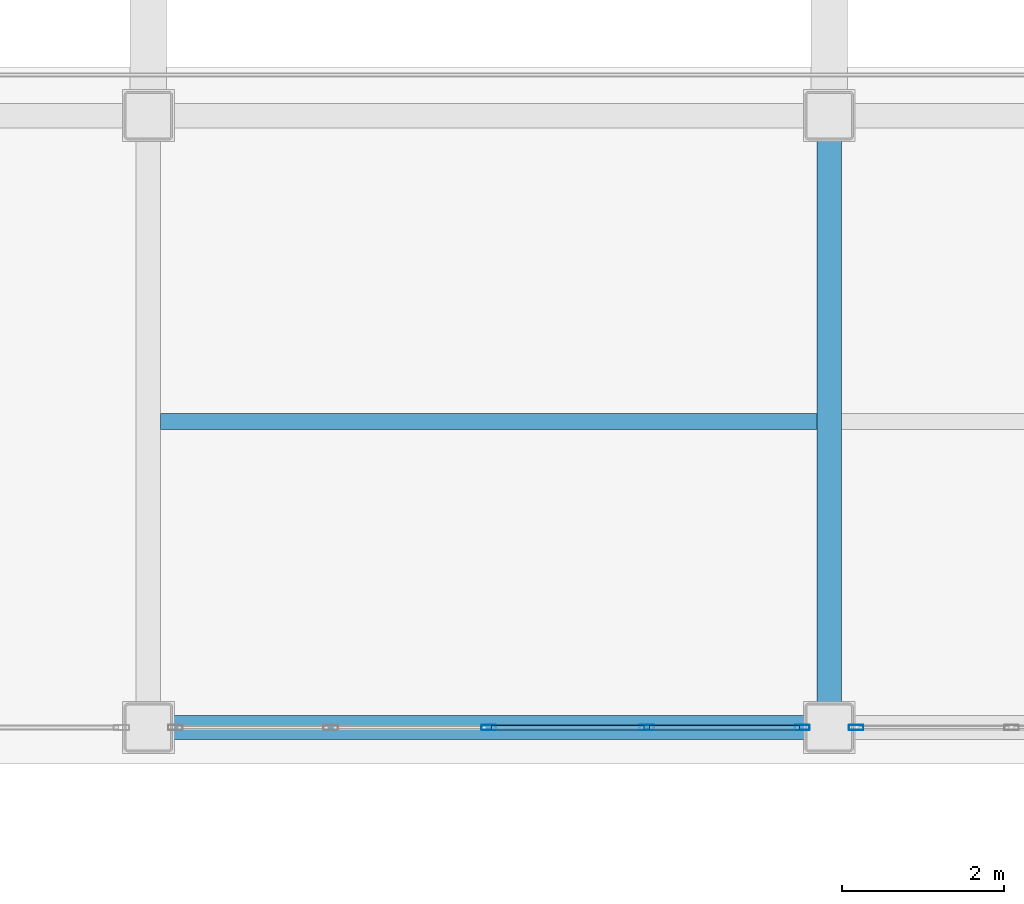
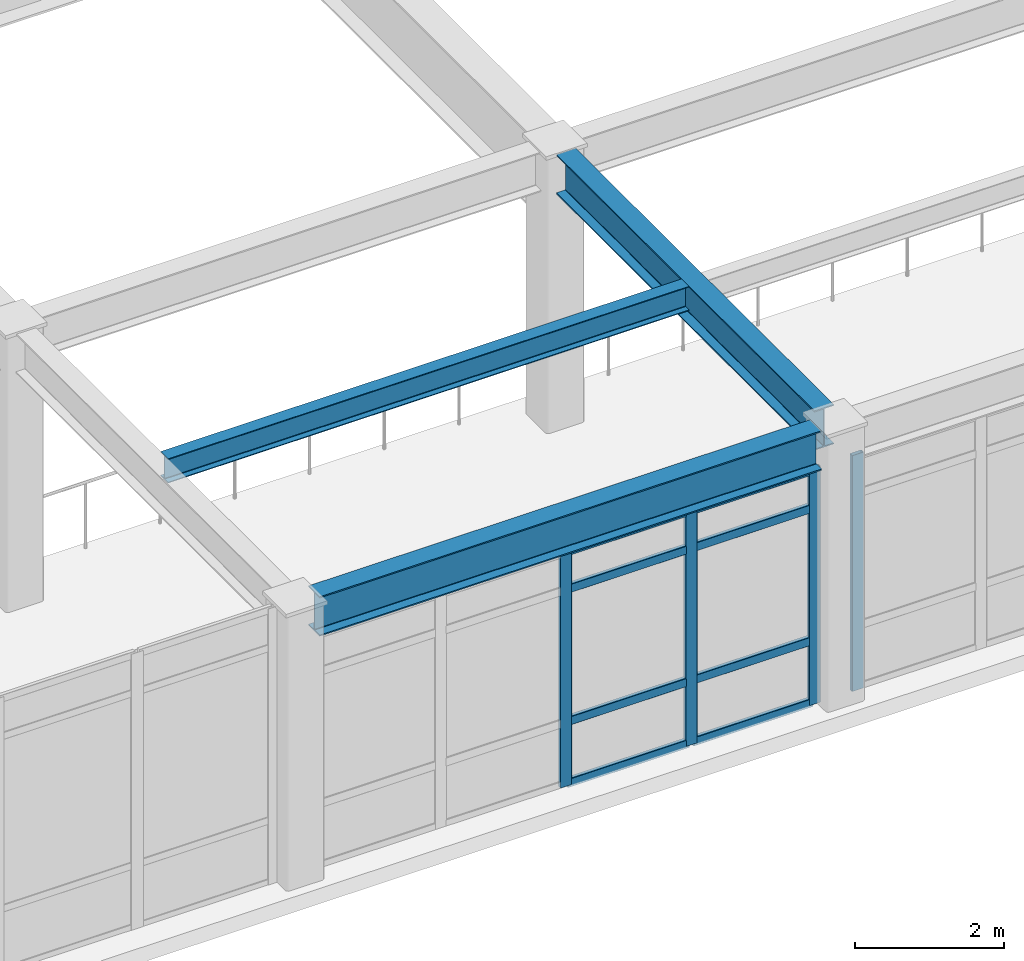
# One storey, part 11 of 172: 12 members, 3 beams, 2 elements without a shape of their own.
"""IFC4 building model written with IfcOpenShell, lengths in metres."""

from ifc_helpers import new_model, si_unit, direction, frame, origin, origin_2d, place, context, subcontext, project, spatial, hollow_rectangle, i_section, extrude, material, layer, layer_set, material_profile, profile_set, type_object, element, aggregate, save


model = new_model("IFC4")

# Units and contexts
model_context = context("Model", 3, precision=1e-05, world=origin(), true_north=direction((0.0, 1.0)))
body_context = subcontext(model_context, "Body", "Model", "MODEL_VIEW")
ifc_project = project(units=[si_unit("LENGTHUNIT", "METRE"), si_unit("AREAUNIT", "SQUARE_METRE"), si_unit("VOLUMEUNIT", "CUBIC_METRE"), si_unit("PLANEANGLEUNIT", "RADIAN"), si_unit("MASSUNIT", "GRAM", prefix="KILO")], contexts=[model_context])

# Site, building, storey
site_placement = place(None, origin())
site = spatial("IfcSite", under=ifc_project, at=site_placement, CompositionType="ELEMENT")
building_placement = place(site_placement, origin())
building = spatial("IfcBuilding", under=site, at=building_placement, Name="Kazehara Bluff Congress Hotel", CompositionType="ELEMENT")
storey_placement = place(building_placement, frame((0.0, 0.0, 5.39990234375)))
storey = spatial("IfcBuildingStorey", under=building, at=storey_placement, Name="L01", CompositionType="ELEMENT", Elevation=5.39990234375)

# Curtain wall, members
ifc_material_1 = material(Name="Anodised aluminium", Category="aluminium")
ifc_layer = layer(ifc_material_1, 0.159912109375)
ifc_layer_set = layer_set([ifc_layer], Name="Anodised aluminium")
curtain_wall_type = type_object("IfcCurtainWallType", Name="TP-CW-29", PredefinedType="NOTDEFINED", material=ifc_layer_set)
curtain_wall_1_placement = place(storey_placement, origin())
curtain_wall_1 = element("IfcCurtainWall", 1, at=curtain_wall_1_placement, inside=storey, type_object=curtain_wall_type, Name="L01 curtain wall CW-29 CW-V2-L01-Y45-2550", PredefinedType="NOTDEFINED")
ifc_material_2 = material(Name="Anodised aluminium", Category="aluminium")
ifc_material_profile_1 = material_profile(ifc_material_2, hollow_rectangle(XDim=0.06494140625, YDim=0.179931640625, WallThickness=0.00390625, InnerFilletRadius=0.00390625, OuterFilletRadius=0.008056640625, at=origin_2d()))
ifc_profile_set_1 = profile_set([ifc_material_profile_1], Name="Anodised aluminium")
member_type_1 = type_object("IfcMemberType", Name="TP-CWM-02", PredefinedType="MULLION", material=ifc_profile_set_1)
member_1_placement = place(storey_placement, frame((29.39990234375, 0.449951171875, 0.0), z_axis=(0.0, 0.0, 1.0), x_axis=(0.0, 1.0, 0.0)))
member_1 = element("IfcMember", 2, at=member_1_placement, type_object=member_type_1, Name="CW-29 mullion 3", PredefinedType="MULLION", context=body_context, shape_type="SweptSolid", body=[
    extrude(hollow_rectangle(XDim=0.06494140625, YDim=0.179931640625, WallThickness=0.00390625, InnerFilletRadius=0.00390625, OuterFilletRadius=0.008056640625, at=origin_2d()), origin(), (0.0, 0.0, 1.0), 3.875),
])
member_2_placement = place(storey_placement, frame((31.35009765625, 0.449951171875, 0.0), z_axis=(0.0, 0.0, 1.0), x_axis=(0.0, 1.0, 0.0)))
member_2 = element("IfcMember", 3, at=member_2_placement, type_object=member_type_1, Name="CW-29 mullion 4", PredefinedType="MULLION", context=body_context, shape_type="SweptSolid", body=[
    extrude(hollow_rectangle(XDim=0.06494140625, YDim=0.179931640625, WallThickness=0.00390625, InnerFilletRadius=0.00390625, OuterFilletRadius=0.008056640625, at=origin_2d()), origin(), (0.0, 0.0, 1.0), 3.875),
])
member_3_placement = place(storey_placement, frame((33.267578125, 0.449951171875, 0.0), z_axis=(0.0, 0.0, 1.0), x_axis=(0.0, 1.0, 0.0)))
member_3 = element("IfcMember", 4, at=member_3_placement, type_object=member_type_1, Name="CW-29 mullion 5", PredefinedType="MULLION", context=body_context, shape_type="SweptSolid", body=[
    extrude(hollow_rectangle(XDim=0.06494140625, YDim=0.179931640625, WallThickness=0.00390625, InnerFilletRadius=0.00390625, OuterFilletRadius=0.008056640625, at=origin_2d()), origin(), (0.0, 0.0, 1.0), 3.875),
])

# Curtain wall, member
curtain_wall_2_placement = place(storey_placement, origin())
curtain_wall_2 = element("IfcCurtainWall", 5, at=curtain_wall_2_placement, inside=storey, type_object=curtain_wall_type, Name="L01 curtain wall CW-29 CW-V2-L01-Y45-3390", PredefinedType="NOTDEFINED")
member_4_placement = place(storey_placement, frame((33.9326171875, 0.449951171875, 0.0), z_axis=(0.0, 0.0, 1.0), x_axis=(0.0, 1.0, 0.0)))
member_4 = element("IfcMember", 6, at=member_4_placement, type_object=member_type_1, Name="CW-29 mullion 1", PredefinedType="MULLION", context=body_context, shape_type="SweptSolid", body=[
    extrude(hollow_rectangle(XDim=0.06494140625, YDim=0.179931640625, WallThickness=0.00390625, InnerFilletRadius=0.00390625, OuterFilletRadius=0.008056640625, at=origin_2d()), origin(), (0.0, 0.0, 1.0), 3.875),
])
aggregate(curtain_wall_2, [member_4])

# Member
ifc_material_3 = material(Name="Anodised aluminium", Category="aluminium")
ifc_material_profile_2 = material_profile(ifc_material_3, hollow_rectangle(XDim=0.06494140625, YDim=0.139892578125, WallThickness=0.00390625, InnerFilletRadius=0.00390625, OuterFilletRadius=0.008056640625, at=origin_2d()))
ifc_profile_set_2 = profile_set([ifc_material_profile_2], Name="Anodised aluminium")
member_type_2 = type_object("IfcMemberType", Name="TP-CWT-02", PredefinedType="USERDEFINED", material=ifc_profile_set_2)
member_5_placement = place(storey_placement, frame((29.4326171875, 0.449951171875, 0.03271484375), z_axis=(1.0, 0.0, 0.0), x_axis=(0.0, 1.0, 0.0)))
member_5 = element("IfcMember", 7, at=member_5_placement, type_object=member_type_2, Name="CW-29 transom 3.1", ObjectType="TRANSOM", PredefinedType="USERDEFINED", context=body_context, shape_type="SweptSolid", body=[
    extrude(hollow_rectangle(XDim=0.06494140625, YDim=0.139892578125, WallThickness=0.00390625, InnerFilletRadius=0.00390625, OuterFilletRadius=0.008056640625, at=origin_2d()), origin(), (0.0, 0.0, 1.0), 1.884765625),
])

member_6_placement = place(storey_placement, frame((29.4326171875, 0.449951171875, 1.050048828125), z_axis=(1.0, 0.0, 0.0), x_axis=(0.0, 1.0, 0.0)))
member_6 = element("IfcMember", 8, at=member_6_placement, type_object=member_type_2, Name="CW-29 transom 3.2", ObjectType="TRANSOM", PredefinedType="USERDEFINED", context=body_context, shape_type="SweptSolid", body=[
    extrude(hollow_rectangle(XDim=0.06494140625, YDim=0.139892578125, WallThickness=0.00390625, InnerFilletRadius=0.00390625, OuterFilletRadius=0.008056640625, at=origin_2d()), origin(), (0.0, 0.0, 1.0), 1.884765625),
])

member_7_placement = place(storey_placement, frame((29.4326171875, 0.449951171875, 3.22509765625), z_axis=(1.0, 0.0, 0.0), x_axis=(0.0, 1.0, 0.0)))
member_7 = element("IfcMember", 9, at=member_7_placement, type_object=member_type_2, Name="CW-29 transom 3.3", ObjectType="TRANSOM", PredefinedType="USERDEFINED", context=body_context, shape_type="SweptSolid", body=[
    extrude(hollow_rectangle(XDim=0.06494140625, YDim=0.139892578125, WallThickness=0.00390625, InnerFilletRadius=0.00390625, OuterFilletRadius=0.008056640625, at=origin_2d()), origin(), (0.0, 0.0, 1.0), 1.884765625),
])

member_8_placement = place(storey_placement, frame((29.4326171875, 0.449951171875, 3.842529296875), z_axis=(1.0, 0.0, 0.0), x_axis=(0.0, 1.0, 0.0)))
member_8 = element("IfcMember", 10, at=member_8_placement, type_object=member_type_2, Name="CW-29 transom 3.4", ObjectType="TRANSOM", PredefinedType="USERDEFINED", context=body_context, shape_type="SweptSolid", body=[
    extrude(hollow_rectangle(XDim=0.06494140625, YDim=0.139892578125, WallThickness=0.00390625, InnerFilletRadius=0.00390625, OuterFilletRadius=0.008056640625, at=origin_2d()), origin(), (0.0, 0.0, 1.0), 1.884765625),
])

member_9_placement = place(storey_placement, frame((31.382568359375, 0.449951171875, 0.03271484375), z_axis=(1.0, 0.0, 0.0), x_axis=(0.0, 1.0, 0.0)))
member_9 = element("IfcMember", 11, at=member_9_placement, type_object=member_type_2, Name="CW-29 transom 4.1", ObjectType="TRANSOM", PredefinedType="USERDEFINED", context=body_context, shape_type="SweptSolid", body=[
    extrude(hollow_rectangle(XDim=0.06494140625, YDim=0.139892578125, WallThickness=0.00390625, InnerFilletRadius=0.00390625, OuterFilletRadius=0.008056640625, at=origin_2d()), origin(), (0.0, 0.0, 1.0), 1.8525390625),
])

member_10_placement = place(storey_placement, frame((31.382568359375, 0.449951171875, 1.050048828125), z_axis=(1.0, 0.0, 0.0), x_axis=(0.0, 1.0, 0.0)))
member_10 = element("IfcMember", 12, at=member_10_placement, type_object=member_type_2, Name="CW-29 transom 4.2", ObjectType="TRANSOM", PredefinedType="USERDEFINED", context=body_context, shape_type="SweptSolid", body=[
    extrude(hollow_rectangle(XDim=0.06494140625, YDim=0.139892578125, WallThickness=0.00390625, InnerFilletRadius=0.00390625, OuterFilletRadius=0.008056640625, at=origin_2d()), origin(), (0.0, 0.0, 1.0), 1.8525390625),
])

member_11_placement = place(storey_placement, frame((31.382568359375, 0.449951171875, 3.22509765625), z_axis=(1.0, 0.0, 0.0), x_axis=(0.0, 1.0, 0.0)))
member_11 = element("IfcMember", 13, at=member_11_placement, type_object=member_type_2, Name="CW-29 transom 4.3", ObjectType="TRANSOM", PredefinedType="USERDEFINED", context=body_context, shape_type="SweptSolid", body=[
    extrude(hollow_rectangle(XDim=0.06494140625, YDim=0.139892578125, WallThickness=0.00390625, InnerFilletRadius=0.00390625, OuterFilletRadius=0.008056640625, at=origin_2d()), origin(), (0.0, 0.0, 1.0), 1.8525390625),
])

member_12_placement = place(storey_placement, frame((31.382568359375, 0.449951171875, 3.842529296875), z_axis=(1.0, 0.0, 0.0), x_axis=(0.0, 1.0, 0.0)))
member_12 = element("IfcMember", 14, at=member_12_placement, type_object=member_type_2, Name="CW-29 transom 4.4", ObjectType="TRANSOM", PredefinedType="USERDEFINED", context=body_context, shape_type="SweptSolid", body=[
    extrude(hollow_rectangle(XDim=0.06494140625, YDim=0.139892578125, WallThickness=0.00390625, InnerFilletRadius=0.00390625, OuterFilletRadius=0.008056640625, at=origin_2d()), origin(), (0.0, 0.0, 1.0), 1.8525390625),
])

aggregate(curtain_wall_1, [member_1, member_2, member_3, member_5, member_6, member_7, member_8, member_9, member_10, member_11, member_12])

# Beams
ifc_material_4 = material(Name="Steel SN490B", Category="steel")
ifc_material_profile_3 = material_profile(ifc_material_4, i_section(OverallWidth=0.300048828125, OverallDepth=0.64990234375, WebThickness=0.011962890625, FlangeThickness=0.02001953125, FilletRadius=0.012939453125, at=origin_2d()))
ifc_profile_set_3 = profile_set([ifc_material_profile_3], Name="Steel SN490B")
beam_type_1 = type_object("IfcBeamType", Name="TP-G-03", PredefinedType="BEAM", material=ifc_profile_set_3)
beam_1_placement = place(storey_placement, frame((33.60009765625, 0.75, 4.22509765625), z_axis=(0.0, 1.0, 0.0), x_axis=(-1.0, 0.0, 0.0)))
element("IfcBeam", 15, at=beam_1_placement, inside=storey, type_object=beam_type_1, Name="L01 girder G-03 55", PredefinedType="BEAM", context=body_context, shape_type="SweptSolid", body=[
    extrude(i_section(OverallWidth=0.300048828125, OverallDepth=0.64990234375, WebThickness=0.011962890625, FlangeThickness=0.02001953125, FilletRadius=0.012939453125, at=origin_2d()), origin(), (0.0, 0.0, 1.0), 6.949951171875),
])
beam_2_placement = place(storey_placement, frame((25.5, 0.449951171875, 4.22509765625), z_axis=(1.0, 0.0, 0.0), x_axis=(0.0, 1.0, 0.0)))
element("IfcBeam", 16, at=beam_2_placement, inside=storey, type_object=beam_type_1, Name="L01 girder G-03 71", PredefinedType="BEAM", context=body_context, shape_type="SweptSolid", body=[
    extrude(i_section(OverallWidth=0.300048828125, OverallDepth=0.64990234375, WebThickness=0.011962890625, FlangeThickness=0.02001953125, FilletRadius=0.012939453125, at=origin_2d()), origin(), (0.0, 0.0, 1.0), 7.800048828125),
])
ifc_material_5 = material(Name="Steel SN400B", Category="steel")
ifc_material_profile_4 = material_profile(ifc_material_5, i_section(OverallWidth=0.199951171875, OverallDepth=0.39990234375, WebThickness=0.008056640625, FlangeThickness=0.012939453125, FilletRadius=0.012939453125, at=origin_2d()))
ifc_profile_set_4 = profile_set([ifc_material_profile_4], Name="Steel SN400B")
beam_type_2 = type_object("IfcBeamType", Name="TP-J-03", PredefinedType="JOIST", material=ifc_profile_set_4)
beam_3_placement = place(storey_placement, frame((25.35009765625, 4.22509765625, 4.35009765625), z_axis=(1.0, 0.0, 0.0), x_axis=(0.0, 1.0, 0.0)))
element("IfcBeam", 17, at=beam_3_placement, inside=storey, type_object=beam_type_2, Name="L01 secondary joist J-03 4", PredefinedType="JOIST", context=body_context, shape_type="SweptSolid", body=[
    extrude(i_section(OverallWidth=0.199951171875, OverallDepth=0.39990234375, WebThickness=0.008056640625, FlangeThickness=0.012939453125, FilletRadius=0.012939453125, at=origin_2d()), origin(), (0.0, 0.0, 1.0), 8.099853515625),
])

save(model, "model.ifc")
